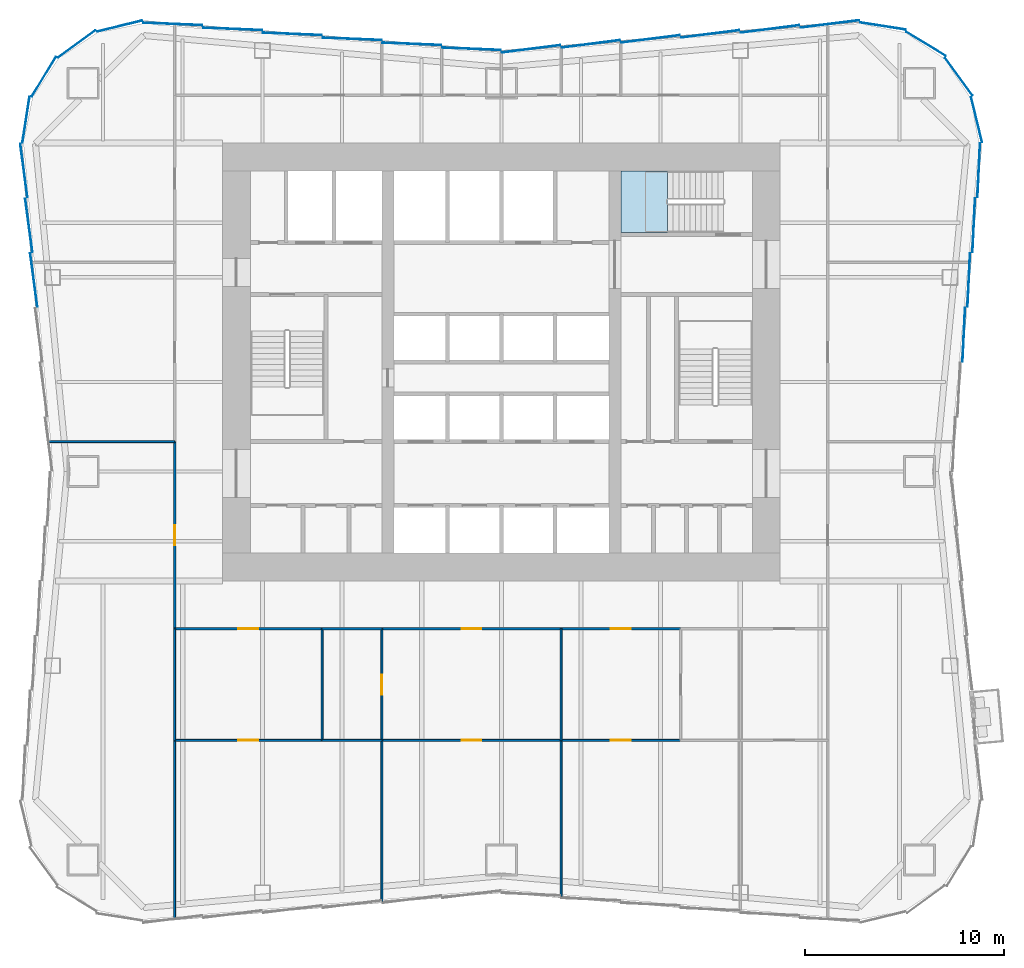
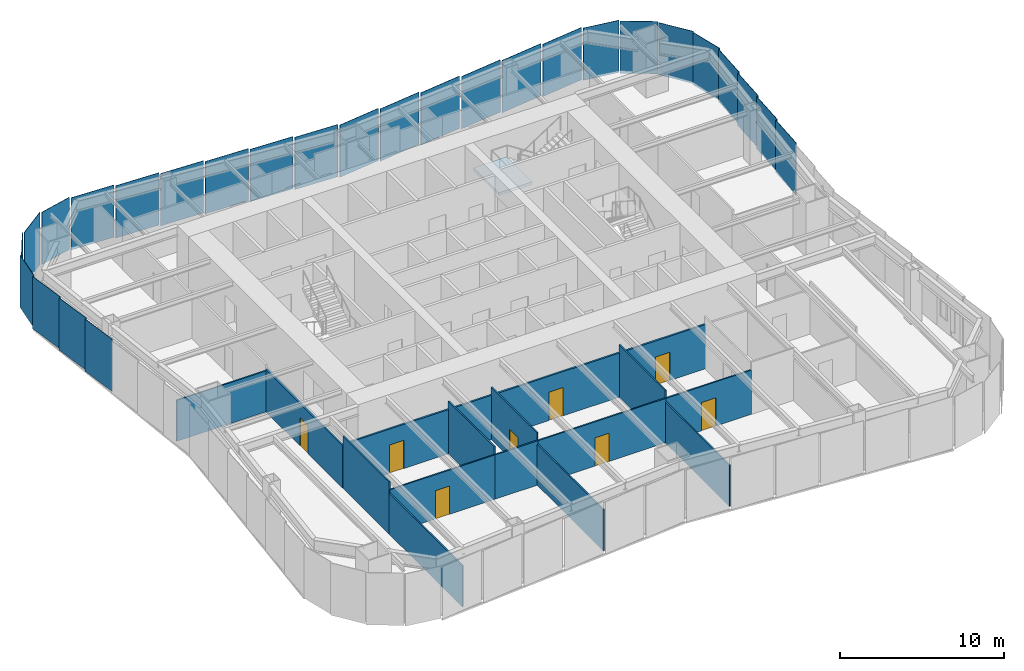
# One storey, part 3 of 8: 27 plates, 17 walls, 8 doors, 1 slab, 8 openings, 6 elements without a shape of their own.
"""IFC4 building model written with IfcOpenShell, lengths in metres."""

from ifc_helpers import new_model, si_unit, direction, frame, frame_2d, origin, origin_2d, place, context, subcontext, project, spatial, polyline, rectangle, outline, extrude, material, layer, layer_set, type_object, element, fill, aggregate, save


model = new_model("IFC4")

# Units and contexts
model_context = context("Model", 3, precision=1e-05, world=origin(), true_north=direction((0.0, 1.0)))
body_context = subcontext(model_context, "Body", "Model", "MODEL_VIEW")
ifc_project = project(units=[si_unit("LENGTHUNIT", "METRE"), si_unit("AREAUNIT", "SQUARE_METRE"), si_unit("VOLUMEUNIT", "CUBIC_METRE"), si_unit("PLANEANGLEUNIT", "RADIAN"), si_unit("MASSUNIT", "GRAM", prefix="KILO")], contexts=[model_context])

# Site, building, storey
site_placement = place(None, origin())
site = spatial("IfcSite", under=ifc_project, at=site_placement, CompositionType="ELEMENT")
building_placement = place(site_placement, origin())
building = spatial("IfcBuilding", under=site, at=building_placement, Name="Verdant Reach Tower", CompositionType="ELEMENT")
storey_placement = place(building_placement, frame((0.0, 0.0, 42.0)))
storey = spatial("IfcBuildingStorey", under=building, at=storey_placement, Name="L09", CompositionType="ELEMENT", Elevation=42.0)

# Stair, slab
ifc_material_1 = material(Name="Concrete C40/50", Category="concrete")
stair_type = type_object("IfcStairType", Name="CO-STAIR", PredefinedType="HALF_TURN_STAIR", material=ifc_material_1)
stair_placement = place(storey_placement, origin())
stair = element("IfcStair", 1, at=stair_placement, inside=storey, type_object=stair_type, Name="L09 Exit stair 3", PredefinedType="HALF_TURN_STAIR")
ifc_layer_1 = layer(ifc_material_1, 0.199951171875)
ifc_layer_set_1 = layer_set([ifc_layer_1], Name="CO-STAIR-LANDING")
slab_type = type_object("IfcSlabType", Name="CO-STAIR-LANDING", PredefinedType="LANDING", material=ifc_layer_set_1)
slab_placement = place(storey_placement, frame((0.0, 0.0, 1.800048828125)))
slab = element("IfcSlab", 2, at=slab_placement, type_object=slab_type, Name="ST-3 landing 1", PredefinedType="LANDING", context=body_context, shape_type="SweptSolid", body=[
    extrude(outline(polyline([(8.35009765625, 37.60009765625), (6.0, 37.60009765625), (6.0, 34.5), (8.35009765625, 34.5), (8.35009765625, 37.60009765625)])), origin(), (0.0, 0.0, 1.0), 0.199951171875),
])
aggregate(stair, [slab])

# Curtain wall, plate
ifc_material_2 = material(Name="Anodised aluminium", Category="aluminium")
curtain_wall_type = type_object("IfcCurtainWallType", Name="EN-CW SYSTEM Z0", PredefinedType="NOTDEFINED", material=ifc_material_2)
curtain_wall_1_placement = place(storey_placement, origin())
curtain_wall_1 = element("IfcCurtainWall", 3, at=curtain_wall_1_placement, inside=storey, type_object=curtain_wall_type, Name="Curtain wall east, L09", PredefinedType="NOTDEFINED")
ifc_material_3 = material(Name="Tinted glass with champagne spandrel", Category="glass")
ifc_layer_2 = layer(ifc_material_3, 0.031982421875)
ifc_layer_set_2 = layer_set([ifc_layer_2], Name="EN-PANEL CHAMPAGNE")
plate_type_1 = type_object("IfcPlateType", Name="EN-PANEL CHAMPAGNE", PredefinedType="CURTAIN_PANEL", material=ifc_layer_set_2)
plate_1_placement = place(storey_placement, frame((23.224609375, 29.365966796875, -0.22998046875), z_axis=(0.0, 0.0, 1.0), x_axis=(0.04875265175, 0.998810882473, 0.0)))
plate_1 = element("IfcPlate", 4, at=plate_1_placement, type_object=plate_type_1, Name="Glass panel east face part 2 3.1, L09", PredefinedType="CURTAIN_PANEL", context=body_context, shape_type="SweptSolid", body=[
    extrude(rectangle(XDim=2.705322265625, YDim=0.031982421875, at=origin_2d()), origin(), (0.0, 0.0, 1.0), 3.8798828125),
])

curtain_wall_2_placement = place(storey_placement, origin())
curtain_wall_2 = element("IfcCurtainWall", 5, at=curtain_wall_2_placement, inside=storey, type_object=curtain_wall_type, Name="Curtain wall north-east corner, L09", PredefinedType="NOTDEFINED")
plate_2_placement = place(storey_placement, frame((23.86767578125, 40.169921875, -0.22998046875), z_axis=(0.0, 0.0, 1.0), x_axis=(-0.236346786246, 0.97166876899, 0.0)))
plate_2 = element("IfcPlate", 6, at=plate_2_placement, type_object=plate_type_1, Name="Glass panel north-east corner 1.1, L09", PredefinedType="CURTAIN_PANEL", context=body_context, shape_type="SweptSolid", body=[
    extrude(rectangle(XDim=2.31884765625, YDim=0.031982421875, at=origin_2d()), origin(), (0.0, 0.0, 1.0), 3.8798828125),
])

# Curtain wall, plates
curtain_wall_3_placement = place(storey_placement, origin())
curtain_wall_3 = element("IfcCurtainWall", 7, at=curtain_wall_3_placement, inside=storey, type_object=curtain_wall_type, Name="Curtain wall north, L09", PredefinedType="NOTDEFINED")
plate_3_placement = place(storey_placement, frame((1.495849609375, 43.724853515625, -0.22998046875), z_axis=(0.0, 0.0, 1.0), x_axis=(-0.992179679439, -0.124817802047, 0.0)))
plate_3 = element("IfcPlate", 8, at=plate_3_placement, type_object=plate_type_1, Name="Glass panel north face part 1 6.1, L09", PredefinedType="CURTAIN_PANEL", context=body_context, shape_type="SweptSolid", body=[
    extrude(rectangle(XDim=2.946044921875, YDim=0.031982421875, at=origin_2d()), origin(), (0.0, 0.0, 1.0), 3.8798828125),
])
plate_4_placement = place(storey_placement, frame((-1.495849609375, 43.724853515625, -0.22998046875), z_axis=(0.0, 0.0, 1.0), x_axis=(-0.999144450138, 0.041356592674, 0.0)))
plate_4 = element("IfcPlate", 9, at=plate_4_placement, type_object=plate_type_1, Name="Glass panel north face part 2 1.1, L09", PredefinedType="CURTAIN_PANEL", context=body_context, shape_type="SweptSolid", body=[
    extrude(rectangle(XDim=2.946044921875, YDim=0.031982421875, at=origin_2d()), origin(), (0.0, 0.0, 1.0), 3.8798828125),
])

# Plate
ifc_material_4 = material(Name="Tinted glass with copper spandrel", Category="glass")
ifc_layer_3 = layer(ifc_material_4, 0.031982421875)
ifc_layer_set_3 = layer_set([ifc_layer_3], Name="EN-PANEL COPPER")
plate_type_2 = type_object("IfcPlateType", Name="EN-PANEL COPPER", PredefinedType="CURTAIN_PANEL", material=ifc_layer_set_3)
plate_5_placement = place(storey_placement, frame((23.474609375, 32.115966796875, -0.22998046875), z_axis=(0.0, 0.0, 1.0), x_axis=(0.04875265175, 0.998810882473, 0.0)))
plate_5 = element("IfcPlate", 10, at=plate_5_placement, type_object=plate_type_2, Name="Glass panel east face part 2 4.1, L09", PredefinedType="CURTAIN_PANEL", context=body_context, shape_type="SweptSolid", body=[
    extrude(rectangle(XDim=2.705322265625, YDim=0.031982421875, at=origin_2d()), origin(), (0.0, 0.0, 1.0), 3.8798828125),
])

plate_6_placement = place(storey_placement, frame((23.724609375, 34.865966796875, -0.22998046875), z_axis=(0.0, 0.0, 1.0), x_axis=(0.04875265175, 0.998810882473, 0.0)))
plate_6 = element("IfcPlate", 11, at=plate_6_placement, type_object=plate_type_2, Name="Glass panel east face part 2 5.1, L09", PredefinedType="CURTAIN_PANEL", context=body_context, shape_type="SweptSolid", body=[
    extrude(rectangle(XDim=2.705322265625, YDim=0.031982421875, at=origin_2d()), origin(), (0.0, 0.0, 1.0), 3.8798828125),
])

plate_7_placement = place(storey_placement, frame((22.974609375, 42.32373046875, -0.22998046875), z_axis=(0.0, 0.0, 1.0), x_axis=(-0.589926778461, 0.807456745624, 0.0)))
plate_7 = element("IfcPlate", 12, at=plate_7_placement, type_object=plate_type_2, Name="Glass panel north-east corner 2.1, L09", PredefinedType="CURTAIN_PANEL", context=body_context, shape_type="SweptSolid", body=[
    extrude(rectangle(XDim=2.32421875, YDim=0.031982421875, at=origin_2d()), origin(), (0.0, 0.0, 1.0), 3.8798828125),
])

plate_8_placement = place(storey_placement, frame((21.32373046875, 43.974609375, -0.22998046875), z_axis=(0.0, 0.0, 1.0), x_axis=(-0.853988681713, 0.520291583159, 0.0)))
plate_8 = element("IfcPlate", 13, at=plate_8_placement, type_object=plate_type_2, Name="Glass panel north-east corner 3.1, L09", PredefinedType="CURTAIN_PANEL", context=body_context, shape_type="SweptSolid", body=[
    extrude(rectangle(XDim=2.32421875, YDim=0.031982421875, at=origin_2d()), origin(), (0.0, 0.0, 1.0), 3.8798828125),
])

plate_9_placement = place(storey_placement, frame((19.169921875, 44.86767578125, -0.22998046875), z_axis=(0.0, 0.0, 1.0), x_axis=(-0.98803452381, 0.154232875093, 0.0)))
plate_9 = element("IfcPlate", 14, at=plate_9_placement, type_object=plate_type_2, Name="Glass panel north-east corner 4.1, L09", PredefinedType="CURTAIN_PANEL", context=body_context, shape_type="SweptSolid", body=[
    extrude(rectangle(XDim=2.318603515625, YDim=0.031982421875, at=origin_2d()), origin(), (0.0, 0.0, 1.0), 3.8798828125),
])

aggregate(curtain_wall_2, [plate_2, plate_7, plate_8, plate_9])

plate_10_placement = place(storey_placement, frame((16.498779296875, 44.974853515625, -0.22998046875), z_axis=(0.0, 0.0, 1.0), x_axis=(-0.992234176789, -0.124383835008, 0.0)))
plate_10 = element("IfcPlate", 15, at=plate_10_placement, type_object=plate_type_2, Name="Glass panel north face part 1 1.1, L09", PredefinedType="CURTAIN_PANEL", context=body_context, shape_type="SweptSolid", body=[
    extrude(rectangle(XDim=2.96826171875, YDim=0.031982421875, at=origin_2d()), origin(), (0.0, 0.0, 1.0), 3.8798828125),
])

plate_11_placement = place(storey_placement, frame((13.49169921875, 44.724609375, -0.22998046875), z_axis=(0.0, 0.0, 1.0), x_axis=(-0.992194034542, -0.124703639961, 0.0)))
plate_11 = element("IfcPlate", 16, at=plate_11_placement, type_object=plate_type_2, Name="Glass panel north face part 1 2.1, L09", PredefinedType="CURTAIN_PANEL", context=body_context, shape_type="SweptSolid", body=[
    extrude(rectangle(XDim=2.954345703125, YDim=0.031982421875, at=origin_2d()), origin(), (0.0, 0.0, 1.0), 3.8798828125),
])

plate_12_placement = place(storey_placement, frame((-4.49169921875, 43.974609375, -0.22998046875), z_axis=(0.0, 0.0, 1.0), x_axis=(-0.999149202059, 0.041241629766, 0.0)))
plate_12 = element("IfcPlate", 17, at=plate_12_placement, type_object=plate_type_2, Name="Glass panel north face part 2 2.1, L09", PredefinedType="CURTAIN_PANEL", context=body_context, shape_type="SweptSolid", body=[
    extrude(rectangle(XDim=2.954345703125, YDim=0.031982421875, at=origin_2d()), origin(), (0.0, 0.0, 1.0), 3.8798828125),
])

plate_13_placement = place(storey_placement, frame((-7.49169921875, 44.224609375, -0.22998046875), z_axis=(0.0, 0.0, 1.0), x_axis=(-0.999149202059, 0.041241629766, 0.0)))
plate_13 = element("IfcPlate", 18, at=plate_13_placement, type_object=plate_type_2, Name="Glass panel north face part 2 3.1, L09", PredefinedType="CURTAIN_PANEL", context=body_context, shape_type="SweptSolid", body=[
    extrude(rectangle(XDim=2.954345703125, YDim=0.031982421875, at=origin_2d()), origin(), (0.0, 0.0, 1.0), 3.8798828125),
])

plate_14_placement = place(storey_placement, frame((-10.49169921875, 44.474609375, -0.22998046875), z_axis=(0.0, 0.0, 1.0), x_axis=(-0.999149202059, 0.041241629766, 0.0)))
plate_14 = element("IfcPlate", 19, at=plate_14_placement, type_object=plate_type_2, Name="Glass panel north face part 2 4.1, L09", PredefinedType="CURTAIN_PANEL", context=body_context, shape_type="SweptSolid", body=[
    extrude(rectangle(XDim=2.954345703125, YDim=0.031982421875, at=origin_2d()), origin(), (0.0, 0.0, 1.0), 3.8798828125),
])

# Curtain wall, plates
curtain_wall_4_placement = place(storey_placement, origin())
curtain_wall_4 = element("IfcCurtainWall", 20, at=curtain_wall_4_placement, inside=storey, type_object=curtain_wall_type, Name="Curtain wall north-west corner, L09", PredefinedType="NOTDEFINED")
plate_15_placement = place(storey_placement, frame((-19.169921875, 44.86767578125, -0.22998046875), z_axis=(0.0, 0.0, 1.0), x_axis=(-0.97166347331, -0.236368556782, 0.0)))
plate_15 = element("IfcPlate", 21, at=plate_15_placement, type_object=plate_type_2, Name="Glass panel north-west corner 1.1, L09", PredefinedType="CURTAIN_PANEL", context=body_context, shape_type="SweptSolid", body=[
    extrude(rectangle(XDim=2.318603515625, YDim=0.031982421875, at=origin_2d()), origin(), (0.0, 0.0, 1.0), 3.8798828125),
])
plate_16_placement = place(storey_placement, frame((-21.32373046875, 43.974609375, -0.22998046875), z_axis=(0.0, 0.0, 1.0), x_axis=(-0.807456745624, -0.589926778461, 0.0)))
plate_16 = element("IfcPlate", 22, at=plate_16_placement, type_object=plate_type_2, Name="Glass panel north-west corner 2.1, L09", PredefinedType="CURTAIN_PANEL", context=body_context, shape_type="SweptSolid", body=[
    extrude(rectangle(XDim=2.32421875, YDim=0.031982421875, at=origin_2d()), origin(), (0.0, 0.0, 1.0), 3.8798828125),
])

# Plate
ifc_material_5 = material(Name="Tinted glass with dark bronze spandrel", Category="glass")
ifc_layer_4 = layer(ifc_material_5, 0.031982421875)
ifc_layer_set_4 = layer_set([ifc_layer_4], Name="EN-PANEL DARK")
plate_type_3 = type_object("IfcPlateType", Name="EN-PANEL DARK", PredefinedType="CURTAIN_PANEL", material=ifc_layer_set_4)
plate_17_placement = place(storey_placement, frame((23.974609375, 37.623046875, -0.22998046875), z_axis=(0.0, 0.0, 1.0), x_axis=(0.048382779248, 0.998828867561, 0.0)))
plate_17 = element("IfcPlate", 23, at=plate_17_placement, type_object=plate_type_3, Name="Glass panel east face part 2 6.1, L09", PredefinedType="CURTAIN_PANEL", context=body_context, shape_type="SweptSolid", body=[
    extrude(rectangle(XDim=2.7197265625, YDim=0.031982421875, at=origin_2d()), origin(), (0.0, 0.0, 1.0), 3.8798828125),
])

aggregate(curtain_wall_1, [plate_1, plate_5, plate_6, plate_17])

plate_18_placement = place(storey_placement, frame((10.49169921875, 44.474609375, -0.22998046875), z_axis=(0.0, 0.0, 1.0), x_axis=(-0.992194034542, -0.124703639961, 0.0)))
plate_18 = element("IfcPlate", 24, at=plate_18_placement, type_object=plate_type_3, Name="Glass panel north face part 1 3.1, L09", PredefinedType="CURTAIN_PANEL", context=body_context, shape_type="SweptSolid", body=[
    extrude(rectangle(XDim=2.954345703125, YDim=0.031982421875, at=origin_2d()), origin(), (0.0, 0.0, 1.0), 3.8798828125),
])

plate_19_placement = place(storey_placement, frame((7.49169921875, 44.224609375, -0.22998046875), z_axis=(0.0, 0.0, 1.0), x_axis=(-0.992194034542, -0.124703639961, 0.0)))
plate_19 = element("IfcPlate", 25, at=plate_19_placement, type_object=plate_type_3, Name="Glass panel north face part 1 4.1, L09", PredefinedType="CURTAIN_PANEL", context=body_context, shape_type="SweptSolid", body=[
    extrude(rectangle(XDim=2.954345703125, YDim=0.031982421875, at=origin_2d()), origin(), (0.0, 0.0, 1.0), 3.8798828125),
])

plate_20_placement = place(storey_placement, frame((4.49169921875, 43.974609375, -0.22998046875), z_axis=(0.0, 0.0, 1.0), x_axis=(-0.992194034542, -0.124703639961, 0.0)))
plate_20 = element("IfcPlate", 26, at=plate_20_placement, type_object=plate_type_3, Name="Glass panel north face part 1 5.1, L09", PredefinedType="CURTAIN_PANEL", context=body_context, shape_type="SweptSolid", body=[
    extrude(rectangle(XDim=2.954345703125, YDim=0.031982421875, at=origin_2d()), origin(), (0.0, 0.0, 1.0), 3.8798828125),
])

plate_21_placement = place(storey_placement, frame((-13.49169921875, 44.724609375, -0.22998046875), z_axis=(0.0, 0.0, 1.0), x_axis=(-0.999149202059, 0.041241629766, 0.0)))
plate_21 = element("IfcPlate", 27, at=plate_21_placement, type_object=plate_type_3, Name="Glass panel north face part 2 5.1, L09", PredefinedType="CURTAIN_PANEL", context=body_context, shape_type="SweptSolid", body=[
    extrude(rectangle(XDim=2.954345703125, YDim=0.031982421875, at=origin_2d()), origin(), (0.0, 0.0, 1.0), 3.8798828125),
])

plate_22_placement = place(storey_placement, frame((-16.498779296875, 44.974853515625, -0.22998046875), z_axis=(0.0, 0.0, 1.0), x_axis=(-0.999162442933, 0.040919587398, 0.0)))
plate_22 = element("IfcPlate", 28, at=plate_22_placement, type_object=plate_type_3, Name="Glass panel north face part 2 6.1, L09", PredefinedType="CURTAIN_PANEL", context=body_context, shape_type="SweptSolid", body=[
    extrude(rectangle(XDim=2.96826171875, YDim=0.031982421875, at=origin_2d()), origin(), (0.0, 0.0, 1.0), 3.8798828125),
])

aggregate(curtain_wall_3, [plate_10, plate_11, plate_18, plate_19, plate_20, plate_3, plate_4, plate_12, plate_13, plate_14, plate_21, plate_22])

plate_23_placement = place(storey_placement, frame((-22.974609375, 42.32373046875, -0.22998046875), z_axis=(0.0, 0.0, 1.0), x_axis=(-0.520291583159, -0.853988681713, 0.0)))
plate_23 = element("IfcPlate", 29, at=plate_23_placement, type_object=plate_type_3, Name="Glass panel north-west corner 3.1, L09", PredefinedType="CURTAIN_PANEL", context=body_context, shape_type="SweptSolid", body=[
    extrude(rectangle(XDim=2.32421875, YDim=0.031982421875, at=origin_2d()), origin(), (0.0, 0.0, 1.0), 3.8798828125),
])

plate_24_placement = place(storey_placement, frame((-23.86767578125, 40.169921875, -0.22998046875), z_axis=(0.0, 0.0, 1.0), x_axis=(-0.154210737778, -0.988037979206, 0.0)))
plate_24 = element("IfcPlate", 30, at=plate_24_placement, type_object=plate_type_3, Name="Glass panel north-west corner 4.1, L09", PredefinedType="CURTAIN_PANEL", context=body_context, shape_type="SweptSolid", body=[
    extrude(rectangle(XDim=2.31884765625, YDim=0.031982421875, at=origin_2d()), origin(), (0.0, 0.0, 1.0), 3.8798828125),
])

aggregate(curtain_wall_4, [plate_15, plate_16, plate_23, plate_24])

# Curtain wall, plates
curtain_wall_5_placement = place(storey_placement, origin())
curtain_wall_5 = element("IfcCurtainWall", 31, at=curtain_wall_5_placement, inside=storey, type_object=curtain_wall_type, Name="Curtain wall west, L09", PredefinedType="NOTDEFINED")
plate_25_placement = place(storey_placement, frame((-23.974609375, 37.623046875, -0.22998046875), z_axis=(0.0, 0.0, 1.0), x_axis=(0.131792939527, -0.991277267514, 0.0)))
plate_25 = element("IfcPlate", 32, at=plate_25_placement, type_object=plate_type_3, Name="Glass panel west face part 1 1.1, L09", PredefinedType="CURTAIN_PANEL", context=body_context, shape_type="SweptSolid", body=[
    extrude(rectangle(XDim=2.7197265625, YDim=0.031982421875, at=origin_2d()), origin(), (0.0, 0.0, 1.0), 3.8798828125),
])
plate_26_placement = place(storey_placement, frame((-23.724609375, 34.865966796875, -0.22998046875), z_axis=(0.0, 0.0, 1.0), x_axis=(0.132160009881, -0.99122839537, 0.0)))
plate_26 = element("IfcPlate", 33, at=plate_26_placement, type_object=plate_type_3, Name="Glass panel west face part 1 2.1, L09", PredefinedType="CURTAIN_PANEL", context=body_context, shape_type="SweptSolid", body=[
    extrude(rectangle(XDim=2.705322265625, YDim=0.031982421875, at=origin_2d()), origin(), (0.0, 0.0, 1.0), 3.8798828125),
])
plate_27_placement = place(storey_placement, frame((-23.474609375, 32.115966796875, -0.22998046875), z_axis=(0.0, 0.0, 1.0), x_axis=(0.132160009881, -0.99122839537, 0.0)))
plate_27 = element("IfcPlate", 34, at=plate_27_placement, type_object=plate_type_3, Name="Glass panel west face part 1 3.1, L09", PredefinedType="CURTAIN_PANEL", context=body_context, shape_type="SweptSolid", body=[
    extrude(rectangle(XDim=2.705322265625, YDim=0.031982421875, at=origin_2d()), origin(), (0.0, 0.0, 1.0), 3.8798828125),
])
aggregate(curtain_wall_5, [plate_25, plate_26, plate_27])

# Wall
ifc_material_6 = material(Name="Gypsum board on steel studs", Category="steel")
ifc_layer_5 = layer(ifc_material_6, 0.10009765625)
ifc_layer_set_5 = layer_set([ifc_layer_5], Name="FL-W1 Partition 100")
wall_type_1 = type_object("IfcWallType", Name="FL-W1 Partition 100", PredefinedType="PARTITIONING", material=ifc_layer_set_5)
wall_1_placement = place(storey_placement, frame((-9.0, 9.0, 0.0), z_axis=(0.0, 0.0, 1.0), x_axis=(0.0, 1.0, 0.0)))
element("IfcWall", 35, at=wall_1_placement, inside=storey, type_object=wall_type_1, Name="Partition 09.19", PredefinedType="PARTITIONING", context=body_context, shape_type="SweptSolid", body=[
    extrude(rectangle(XDim=5.60009765625, YDim=0.10009765625, at=frame_2d((2.800048828125, 0.0))), origin(), (0.0, 0.0, 1.0), 3.8701171875),
])

# Wall, opening, door
wall_2_placement = place(storey_placement, frame((-8.99609375, 9.0, 0.0), z_axis=(0.0, 0.0, 1.0), x_axis=(-1.0, 0.0, 0.0)))
wall_2 = element("IfcWall", 36, at=wall_2_placement, inside=storey, type_object=wall_type_1, Name="Partition 09.20", PredefinedType="PARTITIONING", context=body_context, shape_type="SweptSolid", body=[
    extrude(rectangle(XDim=7.40380859375, YDim=0.10009765625, at=frame_2d((3.701904296875, 0.0))), origin(), (0.0, 0.0, 1.0), 3.2900390625),
])
opening_1_placement = place(wall_2_placement, frame((3.201904296875, 0.0, 0.0)))
opening_1 = element("IfcOpeningElement", 37, at=opening_1_placement, cuts=wall_2, Name="Opening D3", PredefinedType="OPENING", context=body_context, shape_type="SweptSolid", body=[
    extrude(rectangle(XDim=1.0, YDim=2.10009765625, at=frame_2d((0.5, 1.050048828125))), frame((0.0, 0.06005859375, 0.0), z_axis=(0.0, -1.0, 0.0), x_axis=(1.0, 0.0, 0.0)), (0.0, 0.0, 1.0), 0.1201171875),
])
ifc_material_7 = material(Name="Painted timber door leaf", Category="wood")
door_type_1 = type_object("IfcDoorType", Name="FL-D3 Door 1000x2100", OperationType="NOTDEFINED", PredefinedType="DOOR", material=ifc_material_7)
door_1_placement = place(opening_1_placement, origin())
door_1 = element("IfcDoor", 38, at=door_1_placement, inside=storey, type_object=door_type_1, Name="Door 09-017", OperationType="SINGLE_SWING_LEFT", OverallHeight=2.10009765625, OverallWidth=1.0, PredefinedType="DOOR", context=body_context, shape_type="SweptSolid", body=[
    extrude(rectangle(XDim=1.0, YDim=2.10009765625, at=frame_2d((0.5, 1.050048828125))), frame((0.0, 0.02490234375, 0.0), z_axis=(0.0, -1.0, 0.0), x_axis=(1.0, 0.0, 0.0)), (0.0, 0.0, 1.0), 0.050048828125),
])
fill(opening_1, door_1)

# Wall
wall_3_placement = place(storey_placement, frame((-16.39990234375, 14.60400390625, 0.0), z_axis=(0.0, 0.0, 1.0), x_axis=(0.0, -1.0, 0.0)))
element("IfcWall", 39, at=wall_3_placement, inside=storey, type_object=wall_type_1, Name="Partition 09.21", PredefinedType="PARTITIONING", context=body_context, shape_type="SweptSolid", body=[
    extrude(rectangle(XDim=5.60791015625, YDim=0.10009765625, at=frame_2d((2.803955078125, 0.0))), origin(), (0.0, 0.0, 1.0), 3.8701171875),
])

# Wall, opening, door
wall_4_placement = place(storey_placement, frame((-6.0, 9.0, 0.0), z_axis=(0.0, 0.0, 1.0), x_axis=(0.0, 1.0, 0.0)))
wall_4 = element("IfcWall", 40, at=wall_4_placement, inside=storey, type_object=wall_type_1, Name="Partition 09.22", PredefinedType="PARTITIONING", context=body_context, shape_type="SweptSolid", body=[
    extrude(rectangle(XDim=5.60009765625, YDim=0.10009765625, at=frame_2d((2.800048828125, 0.0))), origin(), (0.0, 0.0, 1.0), 3.8701171875),
])
opening_2_placement = place(wall_4_placement, frame((2.300048828125, 0.0, 0.0)))
opening_2 = element("IfcOpeningElement", 41, at=opening_2_placement, cuts=wall_4, Name="Opening D3", PredefinedType="OPENING", context=body_context, shape_type="SweptSolid", body=[
    extrude(rectangle(XDim=1.0, YDim=2.10009765625, at=frame_2d((0.5, 1.050048828125))), frame((0.0, 0.06005859375, 0.0), z_axis=(0.0, -1.0, 0.0), x_axis=(1.0, 0.0, 0.0)), (0.0, 0.0, 1.0), 0.1201171875),
])
door_2_placement = place(opening_2_placement, origin())
door_2 = element("IfcDoor", 42, at=door_2_placement, inside=storey, type_object=door_type_1, Name="Door 09-018", OperationType="SINGLE_SWING_RIGHT", OverallHeight=2.10009765625, OverallWidth=1.0, PredefinedType="DOOR", context=body_context, shape_type="SweptSolid", body=[
    extrude(rectangle(XDim=1.0, YDim=2.10009765625, at=frame_2d((0.5, 1.050048828125))), frame((0.0, 0.02490234375, 0.0), z_axis=(0.0, -1.0, 0.0), x_axis=(1.0, 0.0, 0.0)), (0.0, 0.0, 1.0), 0.050048828125),
])
fill(opening_2, door_2)

# Wall
wall_5_placement = place(storey_placement, frame((-9.00390625, 9.0, 0.0), z_axis=(0.0, 0.0, 1.0), x_axis=(1.0, 0.0, 0.0)))
element("IfcWall", 43, at=wall_5_placement, inside=storey, type_object=wall_type_1, Name="Partition 09.23", PredefinedType="PARTITIONING", context=body_context, shape_type="SweptSolid", body=[
    extrude(rectangle(XDim=3.00390625, YDim=0.10009765625, at=frame_2d((1.501953125, 0.0))), origin(), (0.0, 0.0, 1.0), 3.2900390625),
])

# Wall, opening, door
wall_6_placement = place(storey_placement, frame((3.0, 9.0, 0.0), z_axis=(0.0, 0.0, 1.0), x_axis=(-1.0, 0.0, 0.0)))
wall_6 = element("IfcWall", 44, at=wall_6_placement, inside=storey, type_object=wall_type_1, Name="Partition 09.24", PredefinedType="PARTITIONING", context=body_context, shape_type="SweptSolid", body=[
    extrude(rectangle(XDim=9.0, YDim=0.10009765625, at=frame_2d((4.5, 0.0))), origin(), (0.0, 0.0, 1.0), 3.2900390625),
])
opening_3_placement = place(wall_6_placement, frame((4.0, 0.0, 0.0)))
opening_3 = element("IfcOpeningElement", 45, at=opening_3_placement, cuts=wall_6, Name="Opening D3", PredefinedType="OPENING", context=body_context, shape_type="SweptSolid", body=[
    extrude(rectangle(XDim=1.0, YDim=2.10009765625, at=frame_2d((0.5, 1.050048828125))), frame((0.0, 0.06005859375, 0.0), z_axis=(0.0, -1.0, 0.0), x_axis=(1.0, 0.0, 0.0)), (0.0, 0.0, 1.0), 0.1201171875),
])
door_3_placement = place(opening_3_placement, origin())
door_3 = element("IfcDoor", 46, at=door_3_placement, inside=storey, type_object=door_type_1, Name="Door 09-019", OperationType="SINGLE_SWING_LEFT", OverallHeight=2.10009765625, OverallWidth=1.0, PredefinedType="DOOR", context=body_context, shape_type="SweptSolid", body=[
    extrude(rectangle(XDim=1.0, YDim=2.10009765625, at=frame_2d((0.5, 1.050048828125))), frame((0.0, 0.02490234375, 0.0), z_axis=(0.0, -1.0, 0.0), x_axis=(1.0, 0.0, 0.0)), (0.0, 0.0, 1.0), 0.050048828125),
])
fill(opening_3, door_3)

# Walls
wall_7_placement = place(storey_placement, frame((3.0, 9.0, 0.0), z_axis=(0.0, 0.0, 1.0), x_axis=(0.0, 1.0, 0.0)))
element("IfcWall", 47, at=wall_7_placement, inside=storey, type_object=wall_type_1, Name="Partition 09.25", PredefinedType="PARTITIONING", context=body_context, shape_type="SweptSolid", body=[
    extrude(rectangle(XDim=5.60009765625, YDim=0.10009765625, at=frame_2d((2.800048828125, 0.0))), origin(), (0.0, 0.0, 1.0), 3.8701171875),
])
wall_8_placement = place(storey_placement, frame((-6.0, 0.919921875, 0.0), z_axis=(0.0, 0.0, 1.0), x_axis=(0.0, 1.0, 0.0)))
element("IfcWall", 48, at=wall_8_placement, inside=storey, type_object=wall_type_1, Name="Partition 09.26", PredefinedType="PARTITIONING", context=body_context, shape_type="SweptSolid", body=[
    extrude(rectangle(XDim=8.080078125, YDim=0.10009765625, at=frame_2d((4.0400390625, 0.0))), origin(), (0.0, 0.0, 1.0), 3.0400390625),
])
wall_9_placement = place(storey_placement, frame((-16.39990234375, 9.00390625, 0.0), z_axis=(0.0, 0.0, 1.0), x_axis=(0.0, -1.0, 0.0)))
element("IfcWall", 49, at=wall_9_placement, inside=storey, type_object=wall_type_1, Name="Partition 09.27", PredefinedType="PARTITIONING", context=body_context, shape_type="SweptSolid", body=[
    extrude(rectangle(XDim=8.95068359375, YDim=0.10009765625, at=frame_2d((4.475341796875, 0.0))), origin(), (0.0, 0.0, 1.0), 3.0400390625),
])
wall_10_placement = place(storey_placement, frame((3.0, 1.169921875, 0.0), z_axis=(0.0, 0.0, 1.0), x_axis=(0.0, 1.0, 0.0)))
element("IfcWall", 50, at=wall_10_placement, inside=storey, type_object=wall_type_1, Name="Partition 09.28", PredefinedType="PARTITIONING", context=body_context, shape_type="SweptSolid", body=[
    extrude(rectangle(XDim=7.830078125, YDim=0.10009765625, at=frame_2d((3.9150390625, 0.0))), origin(), (0.0, 0.0, 1.0), 3.0400390625),
])

# Wall, opening, door
wall_11_placement = place(storey_placement, frame((9.00390625, 9.0, 0.0), z_axis=(0.0, 0.0, 1.0), x_axis=(-1.0, 0.0, 0.0)))
wall_11 = element("IfcWall", 51, at=wall_11_placement, inside=storey, type_object=wall_type_1, Name="Partition 09.30", PredefinedType="PARTITIONING", context=body_context, shape_type="SweptSolid", body=[
    extrude(rectangle(XDim=6.00390625, YDim=0.10009765625, at=frame_2d((3.001953125, 0.0))), origin(), (0.0, 0.0, 1.0), 3.2900390625),
])
opening_4_placement = place(wall_11_placement, frame((2.501953125, 0.0, 0.0)))
opening_4 = element("IfcOpeningElement", 52, at=opening_4_placement, cuts=wall_11, Name="Opening D3", PredefinedType="OPENING", context=body_context, shape_type="SweptSolid", body=[
    extrude(rectangle(XDim=1.0, YDim=2.10009765625, at=frame_2d((0.5, 1.050048828125))), frame((0.0, 0.06005859375, 0.0), z_axis=(0.0, -1.0, 0.0), x_axis=(1.0, 0.0, 0.0)), (0.0, 0.0, 1.0), 0.1201171875),
])
door_4_placement = place(opening_4_placement, origin())
door_4 = element("IfcDoor", 53, at=door_4_placement, inside=storey, type_object=door_type_1, Name="Door 09-021", OperationType="SINGLE_SWING_LEFT", OverallHeight=2.10009765625, OverallWidth=1.0, PredefinedType="DOOR", context=body_context, shape_type="SweptSolid", body=[
    extrude(rectangle(XDim=1.0, YDim=2.10009765625, at=frame_2d((0.5, 1.050048828125))), frame((0.0, 0.02490234375, 0.0), z_axis=(0.0, -1.0, 0.0), x_axis=(1.0, 0.0, 0.0)), (0.0, 0.0, 1.0), 0.050048828125),
])
fill(opening_4, door_4)

# Wall
wall_12_placement = place(storey_placement, frame((-16.39990234375, 24.0, 0.0), z_axis=(0.0, 0.0, 1.0), x_axis=(-1.0, 0.0, 0.0)))
element("IfcWall", 54, at=wall_12_placement, inside=storey, type_object=wall_type_1, Name="Partition 09.44", PredefinedType="PARTITIONING", context=body_context, shape_type="SweptSolid", body=[
    extrude(rectangle(XDim=6.31640625, YDim=0.10009765625, at=frame_2d((3.158203125, 0.0))), origin(), (0.0, 0.0, 1.0), 3.0400390625),
])

# Wall, opening, door
ifc_material_8 = material(Name="Gypsum board on steel studs, fire rated", Category="steel")
ifc_layer_6 = layer(ifc_material_8, 0.125)
ifc_layer_set_6 = layer_set([ifc_layer_6], Name="FL-W2 Corridor wall 125")
wall_type_2 = type_object("IfcWallType", Name="FL-W2 Corridor wall 125", PredefinedType="PARTITIONING", material=ifc_layer_set_6)
wall_13_placement = place(storey_placement, frame((-9.0, 14.60009765625, 0.0), z_axis=(0.0, 0.0, 1.0), x_axis=(-1.0, 0.0, 0.0)))
wall_13 = element("IfcWall", 55, at=wall_13_placement, inside=storey, type_object=wall_type_2, Name="Partition 09.01", PredefinedType="PARTITIONING", context=body_context, shape_type="SweptSolid", body=[
    extrude(rectangle(XDim=7.39990234375, YDim=0.125, at=frame_2d((3.699951171875, 0.0))), origin(), (0.0, 0.0, 1.0), 3.2900390625),
])
opening_5_placement = place(wall_13_placement, frame((3.199951171875, 0.0, 0.0)))
opening_5 = element("IfcOpeningElement", 56, at=opening_5_placement, cuts=wall_13, Name="Opening D2", PredefinedType="OPENING", context=body_context, shape_type="SweptSolid", body=[
    extrude(rectangle(XDim=1.0, YDim=2.10009765625, at=frame_2d((0.5, 1.050048828125))), frame((0.0, 0.072509765625, 0.0), z_axis=(0.0, -1.0, 0.0), x_axis=(1.0, 0.0, 0.0)), (0.0, 0.0, 1.0), 0.14501953125),
])
ifc_material_9 = material(Name="Timber door leaf, fire rated", Category="wood")
door_type_2 = type_object("IfcDoorType", Name="FL-D2 Entrance door 1000x2100 FD30", OperationType="NOTDEFINED", PredefinedType="DOOR", material=ifc_material_9)
door_5_placement = place(opening_5_placement, origin())
door_5 = element("IfcDoor", 57, at=door_5_placement, inside=storey, type_object=door_type_2, Name="Door 09-001", OperationType="SINGLE_SWING_LEFT", OverallHeight=2.10009765625, OverallWidth=1.0, PredefinedType="DOOR", context=body_context, shape_type="SweptSolid", body=[
    extrude(rectangle(XDim=1.0, YDim=2.10009765625, at=frame_2d((0.5, 1.050048828125))), frame((0.0, 0.02490234375, 0.0), z_axis=(0.0, -1.0, 0.0), x_axis=(1.0, 0.0, 0.0)), (0.0, 0.0, 1.0), 0.050048828125),
])
fill(opening_5, door_5)

# Wall
wall_14_placement = place(storey_placement, frame((-9.0, 14.60009765625, 0.0), z_axis=(0.0, 0.0, 1.0), x_axis=(1.0, 0.0, 0.0)))
element("IfcWall", 58, at=wall_14_placement, inside=storey, type_object=wall_type_2, Name="Partition 09.02", PredefinedType="PARTITIONING", context=body_context, shape_type="SweptSolid", body=[
    extrude(rectangle(XDim=3.0, YDim=0.125, at=frame_2d((1.5, 0.0))), origin(), (0.0, 0.0, 1.0), 3.2900390625),
])

# Wall, opening, door
wall_15_placement = place(storey_placement, frame((3.0, 14.60009765625, 0.0), z_axis=(0.0, 0.0, 1.0), x_axis=(-1.0, 0.0, 0.0)))
wall_15 = element("IfcWall", 59, at=wall_15_placement, inside=storey, type_object=wall_type_2, Name="Partition 09.03", PredefinedType="PARTITIONING", context=body_context, shape_type="SweptSolid", body=[
    extrude(rectangle(XDim=9.0, YDim=0.125, at=frame_2d((4.5, 0.0))), origin(), (0.0, 0.0, 1.0), 3.2900390625),
])
opening_6_placement = place(wall_15_placement, frame((4.0, 0.0, 0.0)))
opening_6 = element("IfcOpeningElement", 60, at=opening_6_placement, cuts=wall_15, Name="Opening D2", PredefinedType="OPENING", context=body_context, shape_type="SweptSolid", body=[
    extrude(rectangle(XDim=1.0, YDim=2.10009765625, at=frame_2d((0.5, 1.050048828125))), frame((0.0, 0.072509765625, 0.0), z_axis=(0.0, -1.0, 0.0), x_axis=(1.0, 0.0, 0.0)), (0.0, 0.0, 1.0), 0.14501953125),
])
door_6_placement = place(opening_6_placement, origin())
door_6 = element("IfcDoor", 61, at=door_6_placement, inside=storey, type_object=door_type_2, Name="Door 09-002", OperationType="SINGLE_SWING_RIGHT", OverallHeight=2.10009765625, OverallWidth=1.0, PredefinedType="DOOR", context=body_context, shape_type="SweptSolid", body=[
    extrude(rectangle(XDim=1.0, YDim=2.10009765625, at=frame_2d((0.5, 1.050048828125))), frame((0.0, 0.02490234375, 0.0), z_axis=(0.0, -1.0, 0.0), x_axis=(1.0, 0.0, 0.0)), (0.0, 0.0, 1.0), 0.050048828125),
])
fill(opening_6, door_6)

wall_16_placement = place(storey_placement, frame((9.0, 14.60009765625, 0.0), z_axis=(0.0, 0.0, 1.0), x_axis=(-1.0, 0.0, 0.0)))
wall_16 = element("IfcWall", 62, at=wall_16_placement, inside=storey, type_object=wall_type_2, Name="Partition 09.04", PredefinedType="PARTITIONING", context=body_context, shape_type="SweptSolid", body=[
    extrude(rectangle(XDim=6.0, YDim=0.125, at=frame_2d((3.0, 0.0))), origin(), (0.0, 0.0, 1.0), 3.2900390625),
])
opening_7_placement = place(wall_16_placement, frame((2.5, 0.0, 0.0)))
opening_7 = element("IfcOpeningElement", 63, at=opening_7_placement, cuts=wall_16, Name="Opening D2", PredefinedType="OPENING", context=body_context, shape_type="SweptSolid", body=[
    extrude(rectangle(XDim=1.0, YDim=2.10009765625, at=frame_2d((0.5, 1.050048828125))), frame((0.0, 0.072509765625, 0.0), z_axis=(0.0, -1.0, 0.0), x_axis=(1.0, 0.0, 0.0)), (0.0, 0.0, 1.0), 0.14501953125),
])
door_7_placement = place(opening_7_placement, origin())
door_7 = element("IfcDoor", 64, at=door_7_placement, inside=storey, type_object=door_type_2, Name="Door 09-003", OperationType="SINGLE_SWING_LEFT", OverallHeight=2.10009765625, OverallWidth=1.0, PredefinedType="DOOR", context=body_context, shape_type="SweptSolid", body=[
    extrude(rectangle(XDim=1.0, YDim=2.10009765625, at=frame_2d((0.5, 1.050048828125))), frame((0.0, 0.02490234375, 0.0), z_axis=(0.0, -1.0, 0.0), x_axis=(1.0, 0.0, 0.0)), (0.0, 0.0, 1.0), 0.050048828125),
])
fill(opening_7, door_7)

wall_17_placement = place(storey_placement, frame((-16.39990234375, 14.595947265625, 0.0), z_axis=(0.0, 0.0, 1.0), x_axis=(0.0, 1.0, 0.0)))
wall_17 = element("IfcWall", 65, at=wall_17_placement, inside=storey, type_object=wall_type_2, Name="Partition 09.13", PredefinedType="PARTITIONING", context=body_context, shape_type="SweptSolid", body=[
    extrude(rectangle(XDim=9.404052734375, YDim=0.125, at=frame_2d((4.7021484375, 0.0))), origin(), (0.0, 0.0, 1.0), 3.139892578125),
])
opening_8_placement = place(wall_17_placement, frame((4.201904296875, 0.0, 0.0)))
opening_8 = element("IfcOpeningElement", 66, at=opening_8_placement, cuts=wall_17, Name="Opening D2", PredefinedType="OPENING", context=body_context, shape_type="SweptSolid", body=[
    extrude(rectangle(XDim=1.0, YDim=2.10009765625, at=frame_2d((0.5, 1.050048828125))), frame((0.0, 0.072509765625, 0.0), z_axis=(0.0, -1.0, 0.0), x_axis=(1.0, 0.0, 0.0)), (0.0, 0.0, 1.0), 0.14501953125),
])
door_8_placement = place(opening_8_placement, origin())
door_8 = element("IfcDoor", 67, at=door_8_placement, inside=storey, type_object=door_type_2, Name="Door 09-011", OperationType="SINGLE_SWING_LEFT", OverallHeight=2.10009765625, OverallWidth=1.0, PredefinedType="DOOR", context=body_context, shape_type="SweptSolid", body=[
    extrude(rectangle(XDim=1.0, YDim=2.10009765625, at=frame_2d((0.5, 1.050048828125))), frame((0.0, 0.02490234375, 0.0), z_axis=(0.0, -1.0, 0.0), x_axis=(1.0, 0.0, 0.0)), (0.0, 0.0, 1.0), 0.050048828125),
])
fill(opening_8, door_8)

save(model, "model.ifc")
